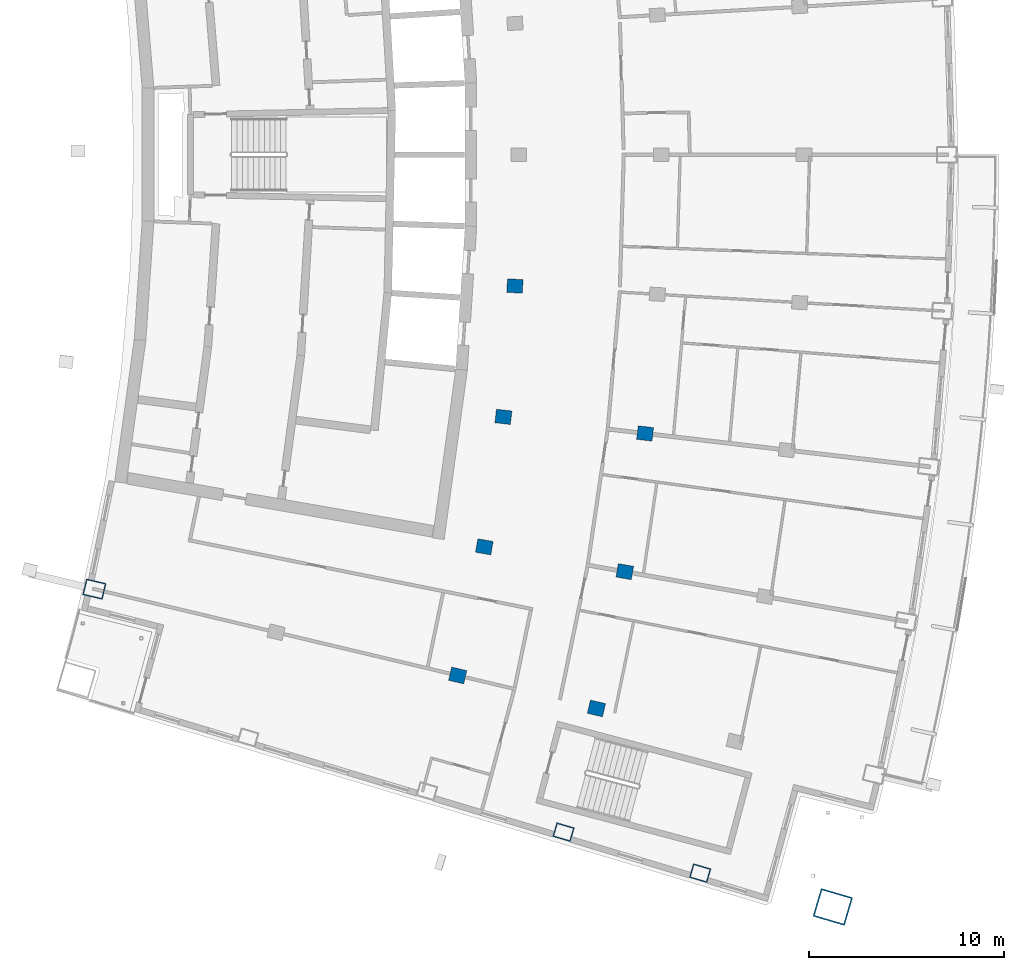
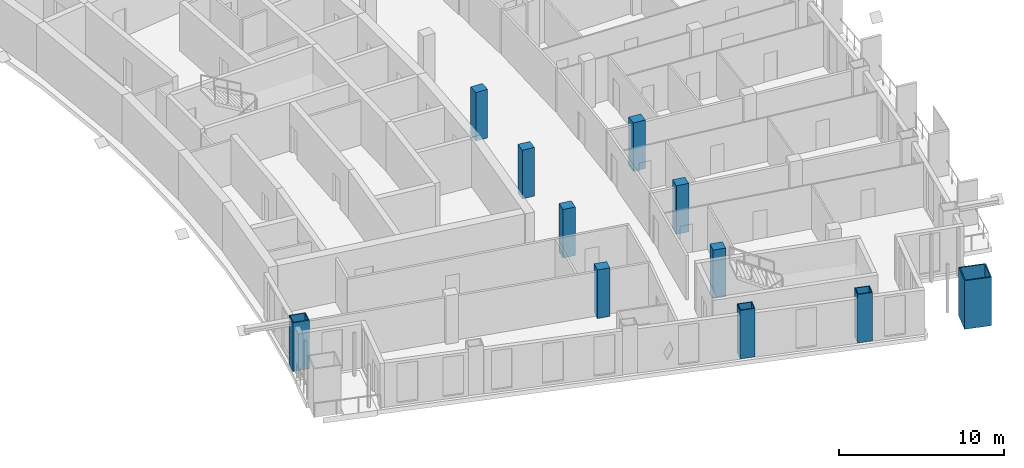
# One storey, part 2 of 17: 11 columns.
"""IFC4 building model written with IfcOpenShell, lengths in metres."""

from ifc_helpers import new_model, si_unit, direction, frame, origin, origin_2d, place, context, subcontext, project, spatial, rectangle, hollow_rectangle, extrude, material, material_profile, profile_set, type_object, element, save


model = new_model("IFC4")

# Units and contexts
model_context = context("Model", 3, precision=1e-05, world=origin(), true_north=direction((0.0, 1.0)))
body_context = subcontext(model_context, "Body", "Model", "MODEL_VIEW")
ifc_project = project(units=[si_unit("LENGTHUNIT", "METRE"), si_unit("AREAUNIT", "SQUARE_METRE"), si_unit("VOLUMEUNIT", "CUBIC_METRE"), si_unit("PLANEANGLEUNIT", "RADIAN"), si_unit("MASSUNIT", "GRAM", prefix="KILO")], contexts=[model_context])

# Site, building, storey
site_placement = place(None, origin())
site = spatial("IfcSite", under=ifc_project, at=site_placement, CompositionType="ELEMENT")
building_placement = place(site_placement, origin())
building = spatial("IfcBuilding", under=site, at=building_placement, Name="Alderwake Tower", CompositionType="ELEMENT")
storey_placement = place(building_placement, frame((0.0, 0.0, 218.0)))
storey = spatial("IfcBuildingStorey", under=building, at=storey_placement, Name="L54", CompositionType="ELEMENT", Elevation=218.0)

# Columns
ifc_material_1 = material(Name="Steel ASTM A572 Grade 50 concrete filled C70/85", Category="concrete")
ifc_material_profile_1 = material_profile(ifc_material_1, hollow_rectangle(XDim=0.75, YDim=0.949951171875, WallThickness=0.054931640625, at=origin_2d()), Name="BOX 950X750X55")
ifc_profile_set_1 = profile_set([ifc_material_profile_1], Name="Steel ASTM A572 Grade 50 concrete filled C70/85")
column_type_1 = type_object("IfcColumnType", Name="End column Z4", PredefinedType="COLUMN", material=ifc_profile_set_1)
for number, where, z_axis, x_axis, name in (
    (1, (38.10400390625, 26.168212890625, 0.0), (0.0, 0.0, 1.0), (0.28287886882, 0.959155641997, 0.0), "Column R02-C3"),
    (2, (45.127685546875, 24.0595703125, 0.0), (0.0, 0.0, 1.0), (0.283141682853, 0.959078092457, 0.0), "Column R02-C4"),
):
    element("IfcColumn", number, at=place(storey_placement, frame(where, z_axis=z_axis, x_axis=x_axis)), inside=storey, type_object=column_type_1, Name=name, PredefinedType="COLUMN", context=body_context, shape_type="SweptSolid", body=[
        extrude(hollow_rectangle(XDim=0.75, YDim=0.949951171875, WallThickness=0.054931640625, at=origin_2d()), origin(), (0.0, 0.0, 1.0), 3.60009765625),
    ])
ifc_material_2 = material(Name="Concrete C70/85", Category="concrete")
ifc_material_profile_2 = material_profile(ifc_material_2, rectangle(XDim=0.699951171875, YDim=0.800048828125, at=origin_2d()), Name="RC 800X700")
ifc_profile_set_2 = profile_set([ifc_material_profile_2], Name="Concrete C70/85")
column_type_2 = type_object("IfcColumnType", Name="Interior column Z4", PredefinedType="COLUMN", material=ifc_profile_set_2)
for number, where, z_axis, x_axis, name in (
    (3, (32.661865234375, 34.224609375, 0.0), (0.0, 0.0, 1.0), (0.231221547198, 0.972901123502, 0.0), "Column R03-C2"),
    (4, (39.79638671875, 32.52880859375, 0.0), (0.0, 0.0, 1.0), (0.231221547198, 0.972901123502, 0.0), "Column R03-C3"),
    (5, (34.03125, 40.83837890625, 0.0), (0.0, 0.0, 1.0), (0.174108800747, 0.984726421654, 0.0), "Column R04-C2"),
    (6, (41.252685546875, 39.5615234375, 0.0), (0.0, 0.0, 1.0), (0.174108800747, 0.984726421654, 0.0), "Column R04-C3"),
    (7, (35.0126953125, 47.5205078125, 0.0), (0.0, 0.0, 1.0), (0.116402054316, 0.993202175668, 0.0), "Column R05-C2"),
    (8, (42.29638671875, 46.6669921875, 0.0), (0.0, 0.0, 1.0), (0.116402054316, 0.993202175668, 0.0), "Column R05-C3"),
    (9, (35.60302734375, 54.248779296875, 0.0), (0.0, 0.0, 1.0), (0.058301061284, 0.998299046505, 0.0), "Column R06-C2"),
):
    element("IfcColumn", number, at=place(storey_placement, frame(where, z_axis=z_axis, x_axis=x_axis)), inside=storey, type_object=column_type_2, Name=name, PredefinedType="COLUMN", context=body_context, shape_type="SweptSolid", body=[
        extrude(rectangle(XDim=0.699951171875, YDim=0.800048828125, at=origin_2d()), origin(), (0.0, 0.0, 1.0), 3.60009765625),
    ])
ifc_material_3 = material(Name="Steel ASTM A572 Grade 50 concrete filled C70/85", Category="concrete")
ifc_material_profile_3 = material_profile(ifc_material_3, hollow_rectangle(XDim=1.5, YDim=1.699951171875, WallThickness=0.074951171875, at=origin_2d()), Name="BOX 1700X1500X75")
ifc_profile_set_3 = profile_set([ifc_material_profile_3], Name="Steel ASTM A572 Grade 50 concrete filled C70/85")
column_type_3 = type_object("IfcColumnType", Name="Mega column Z4", PredefinedType="COLUMN", material=ifc_profile_set_3)
column_1_placement = place(storey_placement, frame((51.9482421875, 22.322998046875, 0.0), z_axis=(0.0, 0.0, 1.0), x_axis=(0.281288140428, 0.959623354267, 0.0)))
element("IfcColumn", 10, at=column_1_placement, inside=storey, type_object=column_type_3, Name="Column R02-C5", PredefinedType="COLUMN", context=body_context, shape_type="SweptSolid", body=[
    extrude(hollow_rectangle(XDim=1.5, YDim=1.699951171875, WallThickness=0.074951171875, at=origin_2d()), origin(), (0.0, 0.0, 1.0), 3.60009765625),
])
ifc_material_4 = material(Name="Steel ASTM A572 Grade 50 concrete filled C70/85", Category="concrete")
ifc_material_profile_4 = material_profile(ifc_material_4, hollow_rectangle(XDim=0.85009765625, YDim=1.050048828125, WallThickness=0.054931640625, at=origin_2d()), Name="BOX 1050X850X55")
ifc_profile_set_4 = profile_set([ifc_material_profile_4], Name="Steel ASTM A572 Grade 50 concrete filled C70/85")
column_type_4 = type_object("IfcColumnType", Name="Perimeter column Z4", PredefinedType="COLUMN", material=ifc_profile_set_4)
column_2_placement = place(storey_placement, frame((13.982177734375, 38.6640625, 0.0), z_axis=(0.0, 0.0, 1.0), x_axis=(0.231221547198, 0.972901123502, 0.0)))
element("IfcColumn", 11, at=column_2_placement, inside=storey, type_object=column_type_4, Name="Column R03-C0", PredefinedType="COLUMN", context=body_context, shape_type="SweptSolid", body=[
    extrude(hollow_rectangle(XDim=0.85009765625, YDim=1.050048828125, WallThickness=0.054931640625, at=origin_2d()), origin(), (0.0, 0.0, 1.0), 3.60009765625),
])

save(model, "model.ifc")
